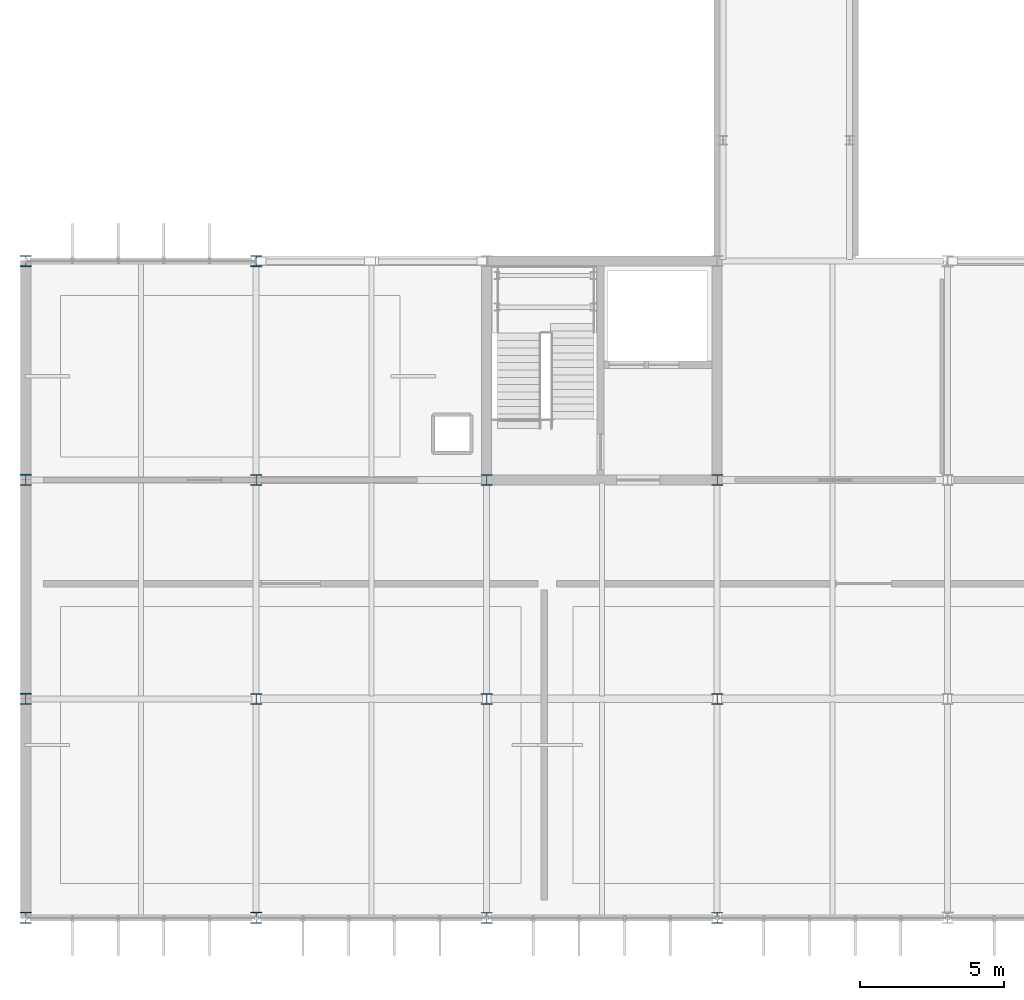
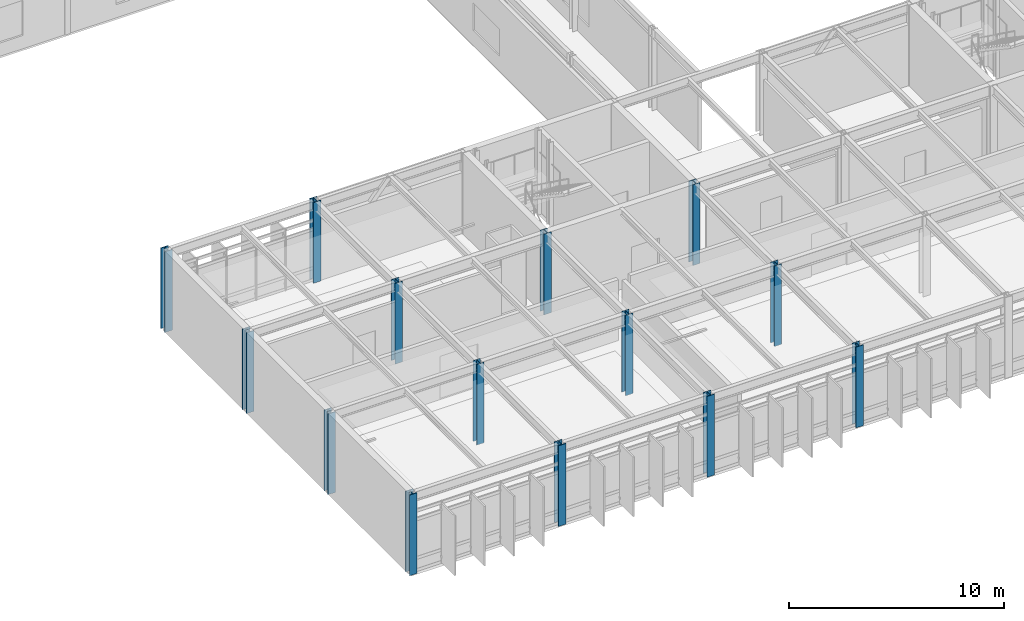
# One storey, part 1 of 104: 14 columns.
"""IFC4 building model written with IfcOpenShell, lengths in metres."""

from ifc_helpers import new_model, si_unit, direction, frame, origin, origin_2d, place, context, subcontext, project, spatial, i_section, extrude, material, material_profile, profile_set, type_object, element, save


model = new_model("IFC4")

# Units and contexts
model_context = context("Model", 3, precision=1e-05, world=origin(), true_north=direction((0.0, 1.0)))
body_context = subcontext(model_context, "Body", "Model", "MODEL_VIEW")
ifc_project = project(units=[si_unit("LENGTHUNIT", "METRE"), si_unit("AREAUNIT", "SQUARE_METRE"), si_unit("VOLUMEUNIT", "CUBIC_METRE"), si_unit("PLANEANGLEUNIT", "RADIAN"), si_unit("MASSUNIT", "GRAM", prefix="KILO")], contexts=[model_context])

# Site, building, storey
site_placement = place(None, origin())
site = spatial("IfcSite", under=ifc_project, at=site_placement, CompositionType="ELEMENT")
building_placement = place(site_placement, origin())
building = spatial("IfcBuilding", under=site, at=building_placement, Name="Zulena Civic Courthouse", CompositionType="ELEMENT")
storey_placement = place(building_placement, frame((0.0, 0.0, 15.60009765625)))
storey = spatial("IfcBuildingStorey", under=building, at=storey_placement, Name="L03", CompositionType="ELEMENT", Elevation=15.60009765625)

# Columns
ifc_material = material(Name="Steel ASTM A992 Grade 50", Category="steel")
ifc_material_profile_1 = material_profile(ifc_material, i_section(OverallWidth=0.39404296875, OverallDepth=0.3759765625, WebThickness=0.017333984375, FlangeThickness=0.027587890625, FilletRadius=0.01513671875, at=origin_2d()), Name="W14X145")
ifc_profile_set_1 = profile_set([ifc_material_profile_1], Name="Steel ASTM A992 Grade 50")
column_type_1 = type_object("IfcColumnType", Name="Col_W14X145", PredefinedType="COLUMN", material=ifc_profile_set_1)
for number, where, z_axis, x_axis, name in (
    (1, (12.0, 7.60009765625, 0.0), (0.0, 0.0, 1.0), (1.0, 0.0, 0.0), "col:V2:L03:12.0:7.6"),
    (2, (12.0, 15.199951171875, 0.0), (0.0, 0.0, 1.0), (1.0, 0.0, 0.0), "col:V2:L03:12.0:15.2"),
    (3, (20.0, 7.60009765625, 0.0), (0.0, 0.0, 1.0), (1.0, 0.0, 0.0), "col:V2:L03:20.0:7.6"),
    (4, (20.0, 15.199951171875, 0.0), (0.0, 0.0, 1.0), (1.0, 0.0, 0.0), "col:V2:L03:20.0:15.2"),
    (5, (28.0, 7.60009765625, 0.0), (0.0, 0.0, 1.0), (1.0, 0.0, 0.0), "col:V2:L03:28.0:7.6"),
    (6, (28.0, 15.199951171875, 0.0), (0.0, 0.0, 1.0), (1.0, 0.0, 0.0), "col:V2:L03:28.0:15.2"),
):
    element("IfcColumn", number, at=place(storey_placement, frame(where, z_axis=z_axis, x_axis=x_axis)), inside=storey, type_object=column_type_1, Name=name, PredefinedType="COLUMN", context=body_context, shape_type="SweptSolid", body=[
        extrude(i_section(OverallWidth=0.39404296875, OverallDepth=0.3759765625, WebThickness=0.017333984375, FlangeThickness=0.027587890625, FilletRadius=0.01513671875, at=origin_2d()), origin(), (0.0, 0.0, 1.0), 4.58984375),
    ])
ifc_material_profile_2 = material_profile(ifc_material, i_section(OverallWidth=0.39892578125, OverallDepth=0.386962890625, WebThickness=0.02099609375, FlangeThickness=0.033203125, FilletRadius=0.01513671875, at=origin_2d()), Name="W14X176")
ifc_profile_set_2 = profile_set([ifc_material_profile_2], Name="Steel ASTM A992 Grade 50")
column_type_2 = type_object("IfcColumnType", Name="Col_W14X176", PredefinedType="COLUMN", material=ifc_profile_set_2)
for number, where, z_axis, x_axis, name in (
    (7, (20.0, 0.0, 0.0), (0.0, 0.0, 1.0), (1.0, 0.0, 0.0), "col:V2:L03:20.0:0.0"),
    (8, (28.0, 0.0, 0.0), (0.0, 0.0, 1.0), (1.0, 0.0, 0.0), "col:V2:L03:28.0:0.0"),
):
    element("IfcColumn", number, at=place(storey_placement, frame(where, z_axis=z_axis, x_axis=x_axis)), inside=storey, type_object=column_type_2, Name=name, PredefinedType="COLUMN", context=body_context, shape_type="SweptSolid", body=[
        extrude(i_section(OverallWidth=0.39892578125, OverallDepth=0.386962890625, WebThickness=0.02099609375, FlangeThickness=0.033203125, FilletRadius=0.01513671875, at=origin_2d()), origin(), (0.0, 0.0, 1.0), 4.58984375),
    ])
ifc_material_profile_3 = material_profile(ifc_material, i_section(OverallWidth=0.40087890625, OverallDepth=0.39892578125, WebThickness=0.02490234375, FlangeThickness=0.03955078125, FilletRadius=0.01513671875, at=origin_2d()), Name="W14X211")
ifc_profile_set_3 = profile_set([ifc_material_profile_3], Name="Steel ASTM A992 Grade 50")
column_type_3 = type_object("IfcColumnType", Name="Col_W14X211", PredefinedType="COLUMN", material=ifc_profile_set_3)
for number, where, z_axis, x_axis, name in (
    (9, (4.0, 0.0, 0.0), (0.0, 0.0, 1.0), (1.0, 0.0, 0.0), "col:V2:L03:4.0:0.0"),
    (10, (4.0, 7.60009765625, 0.0), (0.0, 0.0, 1.0), (1.0, 0.0, 0.0), "col:V2:L03:4.0:7.6"),
    (11, (4.0, 15.199951171875, 0.0), (0.0, 0.0, 1.0), (1.0, 0.0, 0.0), "col:V2:L03:4.0:15.2"),
    (12, (4.0, 22.800048828125, 0.0), (0.0, 0.0, 1.0), (1.0, 0.0, 0.0), "col:V2:L03:4.0:22.8"),
    (13, (12.0, 0.0, 0.0), (0.0, 0.0, 1.0), (1.0, 0.0, 0.0), "col:V2:L03:12.0:0.0"),
    (14, (12.0, 22.800048828125, 0.0), (0.0, 0.0, 1.0), (1.0, 0.0, 0.0), "col:V2:L03:12.0:22.8"),
):
    element("IfcColumn", number, at=place(storey_placement, frame(where, z_axis=z_axis, x_axis=x_axis)), inside=storey, type_object=column_type_3, Name=name, PredefinedType="COLUMN", context=body_context, shape_type="SweptSolid", body=[
        extrude(i_section(OverallWidth=0.40087890625, OverallDepth=0.39892578125, WebThickness=0.02490234375, FlangeThickness=0.03955078125, FilletRadius=0.01513671875, at=origin_2d()), origin(), (0.0, 0.0, 1.0), 4.58984375),
    ])

save(model, "model.ifc")
